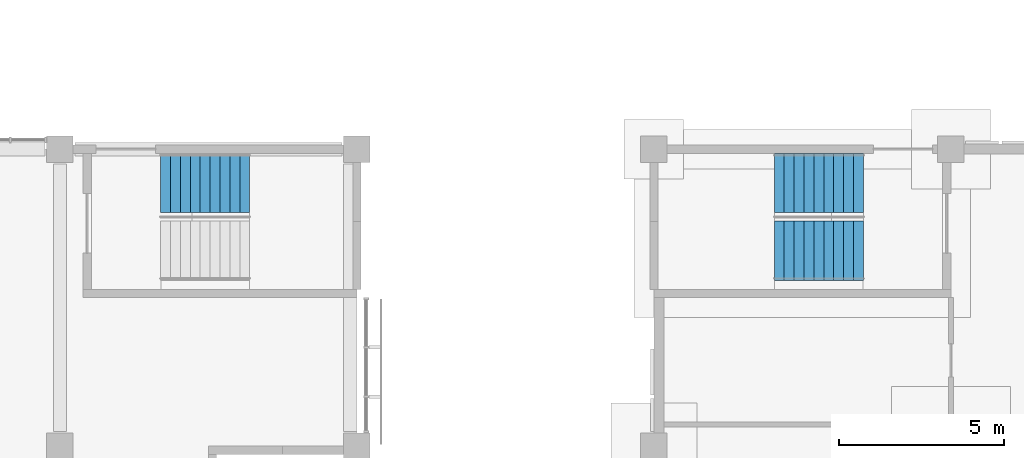
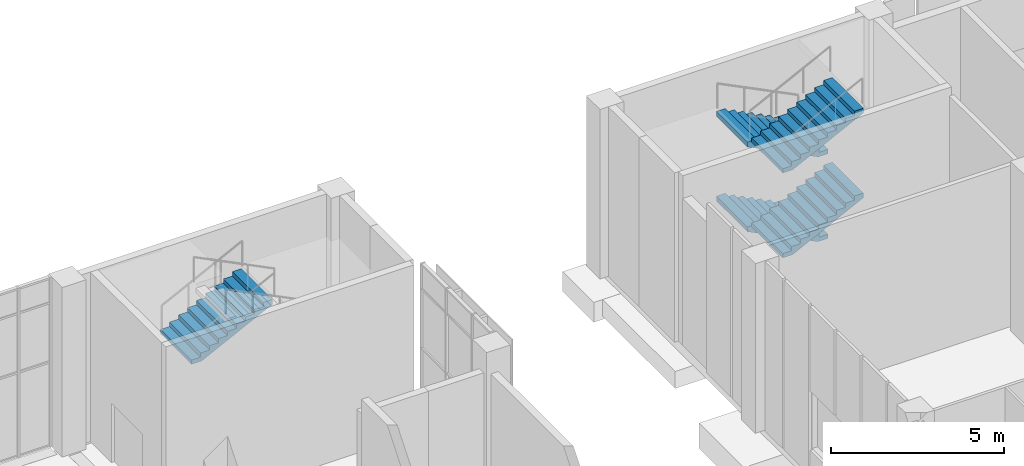
# One storey, part 74 of 86: 5 stair flights, 2 elements without a shape of their own.
"""IFC4 building model written with IfcOpenShell, lengths in metres."""

from ifc_helpers import new_model, si_unit, direction, frame, origin, place, context, subcontext, project, spatial, faceted_brep, material, type_object, element, aggregate, save


model = new_model("IFC4")

# Units and contexts
model_context = context("Model", 3, precision=1e-05, world=origin(), true_north=direction((0.0, 1.0)))
body_context = subcontext(model_context, "Body", "Model", "MODEL_VIEW")
ifc_project = project(units=[si_unit("LENGTHUNIT", "METRE"), si_unit("AREAUNIT", "SQUARE_METRE"), si_unit("VOLUMEUNIT", "CUBIC_METRE"), si_unit("PLANEANGLEUNIT", "RADIAN"), si_unit("MASSUNIT", "GRAM", prefix="KILO")], contexts=[model_context])

# Site, building, storey
site_placement = place(None, origin())
site = spatial("IfcSite", under=ifc_project, at=site_placement, CompositionType="ELEMENT")
building_placement = place(site_placement, origin())
building = spatial("IfcBuilding", under=site, at=building_placement, Name="Guidao Yard Department Store", CompositionType="ELEMENT")
storey_placement = place(building_placement, origin())
storey = spatial("IfcBuildingStorey", under=building, at=storey_placement, Name="L00", CompositionType="ELEMENT", Elevation=0.0)

# Stair, stair flights
ifc_material_1 = material(Name="Concrete C35", Category="concrete")
stair_type = type_object("IfcStairType", Name="Stair double-return four-flight 1800 wide 6.0 m rise", PredefinedType="DOUBLE_RETURN_STAIR", material=ifc_material_1)
stair_1_placement = place(storey_placement, origin())
stair_1 = element("IfcStair", 1, at=stair_1_placement, inside=storey, type_object=stair_type, Name="Stair F3 L00 to L01", PredefinedType="DOUBLE_RETURN_STAIR")
ifc_material_2 = material(Name="Concrete C35", Category="concrete")
stair_flight_type = type_object("IfcStairFlightType", Name="Stair flight RC straight 1800 wide 10 risers x 300 going C35", PredefinedType="STRAIGHT", material=ifc_material_2)
stair_flight_1_placement = place(storey_placement, frame((123.35009765625, 106.97509765625, 0.0), z_axis=(0.0, 0.0, 1.0), x_axis=(-1.0, 0.0, 0.0)))
stair_flight_1 = element("IfcStairFlight", 2, at=stair_flight_1_placement, type_object=stair_flight_type, Name="SF3-L00 flight 1", NumberOfRisers=10, NumberOfTreads=9, PredefinedType="STRAIGHT", RiserHeight=0.15, TreadLength=0.3, context=body_context, shape_type="Brep", body=[
    faceted_brep([(0.0, 0.89990234375, 0.0), (0.0, 0.89990234375, 0.14990234375), (0.300048828125, 0.89990234375, 0.14990234375), (0.300048828125, 0.89990234375, 0.300048828125), (0.60009765625, 0.89990234375, 0.300048828125), (0.60009765625, 0.89990234375, 0.449951171875), (0.89990234375, 0.89990234375, 0.449951171875), (0.89990234375, 0.89990234375, 0.60009765625), (1.199951171875, 0.89990234375, 0.60009765625), (1.199951171875, 0.89990234375, 0.75), (1.5, 0.89990234375, 0.75), (1.5, 0.89990234375, 0.89990234375), (1.800048828125, 0.89990234375, 0.89990234375), (1.800048828125, 0.89990234375, 1.050048828125), (2.10009765625, 0.89990234375, 1.050048828125), (2.10009765625, 0.89990234375, 1.199951171875), (2.39990234375, 0.89990234375, 1.199951171875), (2.39990234375, 0.89990234375, 1.35009765625), (2.699951171875, 0.89990234375, 1.35009765625), (2.699951171875, 0.89990234375, 1.182373046875), (0.335205078125, 0.89990234375, 0.0), (0.335205078125, -0.89990234375, 0.0), (2.699951171875, -0.89990234375, 1.182373046875), (2.699951171875, -0.89990234375, 1.35009765625), (2.39990234375, -0.89990234375, 1.35009765625), (2.39990234375, -0.89990234375, 1.199951171875), (2.10009765625, -0.89990234375, 1.199951171875), (2.10009765625, -0.89990234375, 1.050048828125), (1.800048828125, -0.89990234375, 1.050048828125), (1.800048828125, -0.89990234375, 0.89990234375), (1.5, -0.89990234375, 0.89990234375), (1.5, -0.89990234375, 0.75), (1.199951171875, -0.89990234375, 0.75), (1.199951171875, -0.89990234375, 0.60009765625), (0.89990234375, -0.89990234375, 0.60009765625), (0.89990234375, -0.89990234375, 0.449951171875), (0.60009765625, -0.89990234375, 0.449951171875), (0.60009765625, -0.89990234375, 0.300048828125), (0.300048828125, -0.89990234375, 0.300048828125), (0.300048828125, -0.89990234375, 0.14990234375), (0.0, -0.89990234375, 0.14990234375), (0.0, -0.89990234375, 0.0), (0.0, 0.300048828125, 0.0), (0.0, 0.300048828125, 0.14990234375), (0.0, -0.300048828125, 0.0), (0.0, -0.300048828125, 0.14990234375), (0.300048828125, 0.300048828125, 0.14990234375), (0.300048828125, -0.300048828125, 0.14990234375), (0.300048828125, 0.300048828125, 0.300048828125), (0.300048828125, -0.300048828125, 0.300048828125), (0.60009765625, 0.300048828125, 0.300048828125), (0.60009765625, -0.300048828125, 0.300048828125), (0.60009765625, 0.300048828125, 0.449951171875), (0.60009765625, -0.300048828125, 0.449951171875), (0.89990234375, 0.300048828125, 0.449951171875), (0.89990234375, -0.300048828125, 0.449951171875), (0.89990234375, 0.300048828125, 0.60009765625), (0.89990234375, -0.300048828125, 0.60009765625), (1.199951171875, 0.300048828125, 0.60009765625), (1.199951171875, -0.300048828125, 0.60009765625), (1.199951171875, 0.300048828125, 0.75), (1.199951171875, -0.300048828125, 0.75), (1.5, 0.300048828125, 0.75), (1.5, -0.300048828125, 0.75), (1.5, 0.300048828125, 0.89990234375), (1.5, -0.300048828125, 0.89990234375), (1.800048828125, 0.300048828125, 0.89990234375), (1.800048828125, -0.300048828125, 0.89990234375), (1.800048828125, 0.300048828125, 1.050048828125), (1.800048828125, -0.300048828125, 1.050048828125), (2.10009765625, 0.300048828125, 1.050048828125), (2.10009765625, -0.300048828125, 1.050048828125), (2.10009765625, 0.300048828125, 1.199951171875), (2.10009765625, -0.300048828125, 1.199951171875), (2.39990234375, 0.300048828125, 1.199951171875), (2.39990234375, -0.300048828125, 1.199951171875), (2.39990234375, 0.300048828125, 1.35009765625), (2.39990234375, -0.300048828125, 1.35009765625), (2.699951171875, 0.300048828125, 1.35009765625), (2.699951171875, -0.300048828125, 1.35009765625), (2.699951171875, 0.300048828125, 1.182373046875), (2.699951171875, -0.300048828125, 1.182373046875), (0.335205078125, 0.300048828125, 0.0), (0.335205078125, -0.300048828125, 0.0)], [[[0, 1, 2, 3, 4, 5, 6, 7, 8, 9, 10, 11, 12, 13, 14, 15, 16, 17, 18, 19, 20]], [[21, 22, 23, 24, 25, 26, 27, 28, 29, 30, 31, 32, 33, 34, 35, 36, 37, 38, 39, 40, 41]], [[42, 43, 1, 0]], [[44, 45, 43, 42]], [[41, 40, 45, 44]], [[43, 46, 2, 1]], [[45, 47, 46, 43]], [[40, 39, 47, 45]], [[46, 48, 3, 2]], [[47, 49, 48, 46]], [[39, 38, 49, 47]], [[48, 50, 4, 3]], [[49, 51, 50, 48]], [[38, 37, 51, 49]], [[50, 52, 5, 4]], [[51, 53, 52, 50]], [[37, 36, 53, 51]], [[52, 54, 6, 5]], [[53, 55, 54, 52]], [[36, 35, 55, 53]], [[54, 56, 7, 6]], [[55, 57, 56, 54]], [[35, 34, 57, 55]], [[56, 58, 8, 7]], [[57, 59, 58, 56]], [[34, 33, 59, 57]], [[58, 60, 9, 8]], [[59, 61, 60, 58]], [[33, 32, 61, 59]], [[60, 62, 10, 9]], [[61, 63, 62, 60]], [[32, 31, 63, 61]], [[62, 64, 11, 10]], [[63, 65, 64, 62]], [[31, 30, 65, 63]], [[64, 66, 12, 11]], [[65, 67, 66, 64]], [[30, 29, 67, 65]], [[66, 68, 13, 12]], [[67, 69, 68, 66]], [[29, 28, 69, 67]], [[68, 70, 14, 13]], [[69, 71, 70, 68]], [[28, 27, 71, 69]], [[70, 72, 15, 14]], [[71, 73, 72, 70]], [[27, 26, 73, 71]], [[72, 74, 16, 15]], [[73, 75, 74, 72]], [[26, 25, 75, 73]], [[74, 76, 17, 16]], [[75, 77, 76, 74]], [[25, 24, 77, 75]], [[76, 78, 18, 17]], [[77, 79, 78, 76]], [[24, 23, 79, 77]], [[78, 80, 19, 18]], [[79, 81, 80, 78]], [[23, 22, 81, 79]], [[80, 82, 20, 19]], [[81, 83, 82, 80]], [[22, 21, 83, 81]], [[82, 42, 0, 20]], [[83, 44, 42, 82]], [[21, 41, 44, 83]]]),
])
stair_flight_2_placement = place(storey_placement, frame((120.64990234375, 104.925048828125, 1.5), z_axis=(0.0, 0.0, 1.0), x_axis=(1.0, 0.0, 0.0)))
stair_flight_2 = element("IfcStairFlight", 3, at=stair_flight_2_placement, type_object=stair_flight_type, Name="SF3-L00 flight 2", NumberOfRisers=10, NumberOfTreads=9, PredefinedType="STRAIGHT", RiserHeight=0.15, TreadLength=0.3, context=body_context, shape_type="Brep", body=[
    faceted_brep([(0.0, 0.89990234375, 0.0), (0.0, 0.89990234375, 0.14990234375), (0.300048828125, 0.89990234375, 0.14990234375), (0.300048828125, 0.89990234375, 0.300048828125), (0.60009765625, 0.89990234375, 0.300048828125), (0.60009765625, 0.89990234375, 0.449951171875), (0.89990234375, 0.89990234375, 0.449951171875), (0.89990234375, 0.89990234375, 0.60009765625), (1.199951171875, 0.89990234375, 0.60009765625), (1.199951171875, 0.89990234375, 0.75), (1.5, 0.89990234375, 0.75), (1.5, 0.89990234375, 0.89990234375), (1.800048828125, 0.89990234375, 0.89990234375), (1.800048828125, 0.89990234375, 1.050048828125), (2.10009765625, 0.89990234375, 1.050048828125), (2.10009765625, 0.89990234375, 1.199951171875), (2.39990234375, 0.89990234375, 1.199951171875), (2.39990234375, 0.89990234375, 1.35009765625), (2.699951171875, 0.89990234375, 1.35009765625), (2.699951171875, 0.89990234375, 1.182373046875), (0.335205078125, 0.89990234375, 0.0), (0.335205078125, -0.89990234375, 0.0), (2.699951171875, -0.89990234375, 1.182373046875), (2.699951171875, -0.89990234375, 1.35009765625), (2.39990234375, -0.89990234375, 1.35009765625), (2.39990234375, -0.89990234375, 1.199951171875), (2.10009765625, -0.89990234375, 1.199951171875), (2.10009765625, -0.89990234375, 1.050048828125), (1.800048828125, -0.89990234375, 1.050048828125), (1.800048828125, -0.89990234375, 0.89990234375), (1.5, -0.89990234375, 0.89990234375), (1.5, -0.89990234375, 0.75), (1.199951171875, -0.89990234375, 0.75), (1.199951171875, -0.89990234375, 0.60009765625), (0.89990234375, -0.89990234375, 0.60009765625), (0.89990234375, -0.89990234375, 0.449951171875), (0.60009765625, -0.89990234375, 0.449951171875), (0.60009765625, -0.89990234375, 0.300048828125), (0.300048828125, -0.89990234375, 0.300048828125), (0.300048828125, -0.89990234375, 0.14990234375), (0.0, -0.89990234375, 0.14990234375), (0.0, -0.89990234375, 0.0), (0.0, 0.300048828125, 0.0), (0.0, 0.300048828125, 0.14990234375), (0.0, -0.300048828125, 0.0), (0.0, -0.300048828125, 0.14990234375), (0.300048828125, 0.300048828125, 0.14990234375), (0.300048828125, -0.300048828125, 0.14990234375), (0.300048828125, 0.300048828125, 0.300048828125), (0.300048828125, -0.300048828125, 0.300048828125), (0.60009765625, 0.300048828125, 0.300048828125), (0.60009765625, -0.300048828125, 0.300048828125), (0.60009765625, 0.300048828125, 0.449951171875), (0.60009765625, -0.300048828125, 0.449951171875), (0.89990234375, 0.300048828125, 0.449951171875), (0.89990234375, -0.300048828125, 0.449951171875), (0.89990234375, 0.300048828125, 0.60009765625), (0.89990234375, -0.300048828125, 0.60009765625), (1.199951171875, 0.300048828125, 0.60009765625), (1.199951171875, -0.300048828125, 0.60009765625), (1.199951171875, 0.300048828125, 0.75), (1.199951171875, -0.300048828125, 0.75), (1.5, 0.300048828125, 0.75), (1.5, -0.300048828125, 0.75), (1.5, 0.300048828125, 0.89990234375), (1.5, -0.300048828125, 0.89990234375), (1.800048828125, 0.300048828125, 0.89990234375), (1.800048828125, -0.300048828125, 0.89990234375), (1.800048828125, 0.300048828125, 1.050048828125), (1.800048828125, -0.300048828125, 1.050048828125), (2.10009765625, 0.300048828125, 1.050048828125), (2.10009765625, -0.300048828125, 1.050048828125), (2.10009765625, 0.300048828125, 1.199951171875), (2.10009765625, -0.300048828125, 1.199951171875), (2.39990234375, 0.300048828125, 1.199951171875), (2.39990234375, -0.300048828125, 1.199951171875), (2.39990234375, 0.300048828125, 1.35009765625), (2.39990234375, -0.300048828125, 1.35009765625), (2.699951171875, 0.300048828125, 1.35009765625), (2.699951171875, -0.300048828125, 1.35009765625), (2.699951171875, 0.300048828125, 1.182373046875), (2.699951171875, -0.300048828125, 1.182373046875), (0.335205078125, 0.300048828125, 0.0), (0.335205078125, -0.300048828125, 0.0)], [[[0, 1, 2, 3, 4, 5, 6, 7, 8, 9, 10, 11, 12, 13, 14, 15, 16, 17, 18, 19, 20]], [[21, 22, 23, 24, 25, 26, 27, 28, 29, 30, 31, 32, 33, 34, 35, 36, 37, 38, 39, 40, 41]], [[42, 43, 1, 0]], [[44, 45, 43, 42]], [[41, 40, 45, 44]], [[43, 46, 2, 1]], [[45, 47, 46, 43]], [[40, 39, 47, 45]], [[46, 48, 3, 2]], [[47, 49, 48, 46]], [[39, 38, 49, 47]], [[48, 50, 4, 3]], [[49, 51, 50, 48]], [[38, 37, 51, 49]], [[50, 52, 5, 4]], [[51, 53, 52, 50]], [[37, 36, 53, 51]], [[52, 54, 6, 5]], [[53, 55, 54, 52]], [[36, 35, 55, 53]], [[54, 56, 7, 6]], [[55, 57, 56, 54]], [[35, 34, 57, 55]], [[56, 58, 8, 7]], [[57, 59, 58, 56]], [[34, 33, 59, 57]], [[58, 60, 9, 8]], [[59, 61, 60, 58]], [[33, 32, 61, 59]], [[60, 62, 10, 9]], [[61, 63, 62, 60]], [[32, 31, 63, 61]], [[62, 64, 11, 10]], [[63, 65, 64, 62]], [[31, 30, 65, 63]], [[64, 66, 12, 11]], [[65, 67, 66, 64]], [[30, 29, 67, 65]], [[66, 68, 13, 12]], [[67, 69, 68, 66]], [[29, 28, 69, 67]], [[68, 70, 14, 13]], [[69, 71, 70, 68]], [[28, 27, 71, 69]], [[70, 72, 15, 14]], [[71, 73, 72, 70]], [[27, 26, 73, 71]], [[72, 74, 16, 15]], [[73, 75, 74, 72]], [[26, 25, 75, 73]], [[74, 76, 17, 16]], [[75, 77, 76, 74]], [[25, 24, 77, 75]], [[76, 78, 18, 17]], [[77, 79, 78, 76]], [[24, 23, 79, 77]], [[78, 80, 19, 18]], [[79, 81, 80, 78]], [[23, 22, 81, 79]], [[80, 82, 20, 19]], [[81, 83, 82, 80]], [[22, 21, 83, 81]], [[82, 42, 0, 20]], [[83, 44, 42, 82]], [[21, 41, 44, 83]]]),
])
stair_flight_3_placement = place(storey_placement, frame((123.35009765625, 106.97509765625, 3.0), z_axis=(0.0, 0.0, 1.0), x_axis=(-1.0, 0.0, 0.0)))
stair_flight_3 = element("IfcStairFlight", 4, at=stair_flight_3_placement, type_object=stair_flight_type, Name="SF3-L00 flight 3", NumberOfRisers=10, NumberOfTreads=9, PredefinedType="STRAIGHT", RiserHeight=0.15, TreadLength=0.3, context=body_context, shape_type="Brep", body=[
    faceted_brep([(0.0, 0.89990234375, 0.0), (0.0, 0.89990234375, 0.14990234375), (0.300048828125, 0.89990234375, 0.14990234375), (0.300048828125, 0.89990234375, 0.300048828125), (0.60009765625, 0.89990234375, 0.300048828125), (0.60009765625, 0.89990234375, 0.449951171875), (0.89990234375, 0.89990234375, 0.449951171875), (0.89990234375, 0.89990234375, 0.60009765625), (1.199951171875, 0.89990234375, 0.60009765625), (1.199951171875, 0.89990234375, 0.75), (1.5, 0.89990234375, 0.75), (1.5, 0.89990234375, 0.89990234375), (1.800048828125, 0.89990234375, 0.89990234375), (1.800048828125, 0.89990234375, 1.050048828125), (2.10009765625, 0.89990234375, 1.050048828125), (2.10009765625, 0.89990234375, 1.199951171875), (2.39990234375, 0.89990234375, 1.199951171875), (2.39990234375, 0.89990234375, 1.35009765625), (2.699951171875, 0.89990234375, 1.35009765625), (2.699951171875, 0.89990234375, 1.182373046875), (0.335205078125, 0.89990234375, 0.0), (0.335205078125, -0.89990234375, 0.0), (2.699951171875, -0.89990234375, 1.182373046875), (2.699951171875, -0.89990234375, 1.35009765625), (2.39990234375, -0.89990234375, 1.35009765625), (2.39990234375, -0.89990234375, 1.199951171875), (2.10009765625, -0.89990234375, 1.199951171875), (2.10009765625, -0.89990234375, 1.050048828125), (1.800048828125, -0.89990234375, 1.050048828125), (1.800048828125, -0.89990234375, 0.89990234375), (1.5, -0.89990234375, 0.89990234375), (1.5, -0.89990234375, 0.75), (1.199951171875, -0.89990234375, 0.75), (1.199951171875, -0.89990234375, 0.60009765625), (0.89990234375, -0.89990234375, 0.60009765625), (0.89990234375, -0.89990234375, 0.449951171875), (0.60009765625, -0.89990234375, 0.449951171875), (0.60009765625, -0.89990234375, 0.300048828125), (0.300048828125, -0.89990234375, 0.300048828125), (0.300048828125, -0.89990234375, 0.14990234375), (0.0, -0.89990234375, 0.14990234375), (0.0, -0.89990234375, 0.0), (0.0, 0.300048828125, 0.0), (0.0, 0.300048828125, 0.14990234375), (0.0, -0.300048828125, 0.0), (0.0, -0.300048828125, 0.14990234375), (0.300048828125, 0.300048828125, 0.14990234375), (0.300048828125, -0.300048828125, 0.14990234375), (0.300048828125, 0.300048828125, 0.300048828125), (0.300048828125, -0.300048828125, 0.300048828125), (0.60009765625, 0.300048828125, 0.300048828125), (0.60009765625, -0.300048828125, 0.300048828125), (0.60009765625, 0.300048828125, 0.449951171875), (0.60009765625, -0.300048828125, 0.449951171875), (0.89990234375, 0.300048828125, 0.449951171875), (0.89990234375, -0.300048828125, 0.449951171875), (0.89990234375, 0.300048828125, 0.60009765625), (0.89990234375, -0.300048828125, 0.60009765625), (1.199951171875, 0.300048828125, 0.60009765625), (1.199951171875, -0.300048828125, 0.60009765625), (1.199951171875, 0.300048828125, 0.75), (1.199951171875, -0.300048828125, 0.75), (1.5, 0.300048828125, 0.75), (1.5, -0.300048828125, 0.75), (1.5, 0.300048828125, 0.89990234375), (1.5, -0.300048828125, 0.89990234375), (1.800048828125, 0.300048828125, 0.89990234375), (1.800048828125, -0.300048828125, 0.89990234375), (1.800048828125, 0.300048828125, 1.050048828125), (1.800048828125, -0.300048828125, 1.050048828125), (2.10009765625, 0.300048828125, 1.050048828125), (2.10009765625, -0.300048828125, 1.050048828125), (2.10009765625, 0.300048828125, 1.199951171875), (2.10009765625, -0.300048828125, 1.199951171875), (2.39990234375, 0.300048828125, 1.199951171875), (2.39990234375, -0.300048828125, 1.199951171875), (2.39990234375, 0.300048828125, 1.35009765625), (2.39990234375, -0.300048828125, 1.35009765625), (2.699951171875, 0.300048828125, 1.35009765625), (2.699951171875, -0.300048828125, 1.35009765625), (2.699951171875, 0.300048828125, 1.182373046875), (2.699951171875, -0.300048828125, 1.182373046875), (0.335205078125, 0.300048828125, 0.0), (0.335205078125, -0.300048828125, 0.0)], [[[0, 1, 2, 3, 4, 5, 6, 7, 8, 9, 10, 11, 12, 13, 14, 15, 16, 17, 18, 19, 20]], [[21, 22, 23, 24, 25, 26, 27, 28, 29, 30, 31, 32, 33, 34, 35, 36, 37, 38, 39, 40, 41]], [[42, 43, 1, 0]], [[44, 45, 43, 42]], [[41, 40, 45, 44]], [[43, 46, 2, 1]], [[45, 47, 46, 43]], [[40, 39, 47, 45]], [[46, 48, 3, 2]], [[47, 49, 48, 46]], [[39, 38, 49, 47]], [[48, 50, 4, 3]], [[49, 51, 50, 48]], [[38, 37, 51, 49]], [[50, 52, 5, 4]], [[51, 53, 52, 50]], [[37, 36, 53, 51]], [[52, 54, 6, 5]], [[53, 55, 54, 52]], [[36, 35, 55, 53]], [[54, 56, 7, 6]], [[55, 57, 56, 54]], [[35, 34, 57, 55]], [[56, 58, 8, 7]], [[57, 59, 58, 56]], [[34, 33, 59, 57]], [[58, 60, 9, 8]], [[59, 61, 60, 58]], [[33, 32, 61, 59]], [[60, 62, 10, 9]], [[61, 63, 62, 60]], [[32, 31, 63, 61]], [[62, 64, 11, 10]], [[63, 65, 64, 62]], [[31, 30, 65, 63]], [[64, 66, 12, 11]], [[65, 67, 66, 64]], [[30, 29, 67, 65]], [[66, 68, 13, 12]], [[67, 69, 68, 66]], [[29, 28, 69, 67]], [[68, 70, 14, 13]], [[69, 71, 70, 68]], [[28, 27, 71, 69]], [[70, 72, 15, 14]], [[71, 73, 72, 70]], [[27, 26, 73, 71]], [[72, 74, 16, 15]], [[73, 75, 74, 72]], [[26, 25, 75, 73]], [[74, 76, 17, 16]], [[75, 77, 76, 74]], [[25, 24, 77, 75]], [[76, 78, 18, 17]], [[77, 79, 78, 76]], [[24, 23, 79, 77]], [[78, 80, 19, 18]], [[79, 81, 80, 78]], [[23, 22, 81, 79]], [[80, 82, 20, 19]], [[81, 83, 82, 80]], [[22, 21, 83, 81]], [[82, 42, 0, 20]], [[83, 44, 42, 82]], [[21, 41, 44, 83]]]),
])
stair_flight_4_placement = place(storey_placement, frame((120.64990234375, 104.925048828125, 4.5), z_axis=(0.0, 0.0, 1.0), x_axis=(1.0, 0.0, 0.0)))
stair_flight_4 = element("IfcStairFlight", 5, at=stair_flight_4_placement, type_object=stair_flight_type, Name="SF3-L00 flight 4", NumberOfRisers=10, NumberOfTreads=9, PredefinedType="STRAIGHT", RiserHeight=0.15, TreadLength=0.3, context=body_context, shape_type="Brep", body=[
    faceted_brep([(0.0, 0.89990234375, 0.0), (0.0, 0.89990234375, 0.14990234375), (0.300048828125, 0.89990234375, 0.14990234375), (0.300048828125, 0.89990234375, 0.300048828125), (0.60009765625, 0.89990234375, 0.300048828125), (0.60009765625, 0.89990234375, 0.449951171875), (0.89990234375, 0.89990234375, 0.449951171875), (0.89990234375, 0.89990234375, 0.60009765625), (1.199951171875, 0.89990234375, 0.60009765625), (1.199951171875, 0.89990234375, 0.75), (1.5, 0.89990234375, 0.75), (1.5, 0.89990234375, 0.89990234375), (1.800048828125, 0.89990234375, 0.89990234375), (1.800048828125, 0.89990234375, 1.050048828125), (2.10009765625, 0.89990234375, 1.050048828125), (2.10009765625, 0.89990234375, 1.199951171875), (2.39990234375, 0.89990234375, 1.199951171875), (2.39990234375, 0.89990234375, 1.35009765625), (2.699951171875, 0.89990234375, 1.35009765625), (2.699951171875, 0.89990234375, 1.182373046875), (0.335205078125, 0.89990234375, 0.0), (0.335205078125, -0.89990234375, 0.0), (2.699951171875, -0.89990234375, 1.182373046875), (2.699951171875, -0.89990234375, 1.35009765625), (2.39990234375, -0.89990234375, 1.35009765625), (2.39990234375, -0.89990234375, 1.199951171875), (2.10009765625, -0.89990234375, 1.199951171875), (2.10009765625, -0.89990234375, 1.050048828125), (1.800048828125, -0.89990234375, 1.050048828125), (1.800048828125, -0.89990234375, 0.89990234375), (1.5, -0.89990234375, 0.89990234375), (1.5, -0.89990234375, 0.75), (1.199951171875, -0.89990234375, 0.75), (1.199951171875, -0.89990234375, 0.60009765625), (0.89990234375, -0.89990234375, 0.60009765625), (0.89990234375, -0.89990234375, 0.449951171875), (0.60009765625, -0.89990234375, 0.449951171875), (0.60009765625, -0.89990234375, 0.300048828125), (0.300048828125, -0.89990234375, 0.300048828125), (0.300048828125, -0.89990234375, 0.14990234375), (0.0, -0.89990234375, 0.14990234375), (0.0, -0.89990234375, 0.0), (0.0, 0.300048828125, 0.0), (0.0, 0.300048828125, 0.14990234375), (0.0, -0.300048828125, 0.0), (0.0, -0.300048828125, 0.14990234375), (0.300048828125, 0.300048828125, 0.14990234375), (0.300048828125, -0.300048828125, 0.14990234375), (0.300048828125, 0.300048828125, 0.300048828125), (0.300048828125, -0.300048828125, 0.300048828125), (0.60009765625, 0.300048828125, 0.300048828125), (0.60009765625, -0.300048828125, 0.300048828125), (0.60009765625, 0.300048828125, 0.449951171875), (0.60009765625, -0.300048828125, 0.449951171875), (0.89990234375, 0.300048828125, 0.449951171875), (0.89990234375, -0.300048828125, 0.449951171875), (0.89990234375, 0.300048828125, 0.60009765625), (0.89990234375, -0.300048828125, 0.60009765625), (1.199951171875, 0.300048828125, 0.60009765625), (1.199951171875, -0.300048828125, 0.60009765625), (1.199951171875, 0.300048828125, 0.75), (1.199951171875, -0.300048828125, 0.75), (1.5, 0.300048828125, 0.75), (1.5, -0.300048828125, 0.75), (1.5, 0.300048828125, 0.89990234375), (1.5, -0.300048828125, 0.89990234375), (1.800048828125, 0.300048828125, 0.89990234375), (1.800048828125, -0.300048828125, 0.89990234375), (1.800048828125, 0.300048828125, 1.050048828125), (1.800048828125, -0.300048828125, 1.050048828125), (2.10009765625, 0.300048828125, 1.050048828125), (2.10009765625, -0.300048828125, 1.050048828125), (2.10009765625, 0.300048828125, 1.199951171875), (2.10009765625, -0.300048828125, 1.199951171875), (2.39990234375, 0.300048828125, 1.199951171875), (2.39990234375, -0.300048828125, 1.199951171875), (2.39990234375, 0.300048828125, 1.35009765625), (2.39990234375, -0.300048828125, 1.35009765625), (2.699951171875, 0.300048828125, 1.35009765625), (2.699951171875, -0.300048828125, 1.35009765625), (2.699951171875, 0.300048828125, 1.182373046875), (2.699951171875, -0.300048828125, 1.182373046875), (0.335205078125, 0.300048828125, 0.0), (0.335205078125, -0.300048828125, 0.0)], [[[0, 1, 2, 3, 4, 5, 6, 7, 8, 9, 10, 11, 12, 13, 14, 15, 16, 17, 18, 19, 20]], [[21, 22, 23, 24, 25, 26, 27, 28, 29, 30, 31, 32, 33, 34, 35, 36, 37, 38, 39, 40, 41]], [[42, 43, 1, 0]], [[44, 45, 43, 42]], [[41, 40, 45, 44]], [[43, 46, 2, 1]], [[45, 47, 46, 43]], [[40, 39, 47, 45]], [[46, 48, 3, 2]], [[47, 49, 48, 46]], [[39, 38, 49, 47]], [[48, 50, 4, 3]], [[49, 51, 50, 48]], [[38, 37, 51, 49]], [[50, 52, 5, 4]], [[51, 53, 52, 50]], [[37, 36, 53, 51]], [[52, 54, 6, 5]], [[53, 55, 54, 52]], [[36, 35, 55, 53]], [[54, 56, 7, 6]], [[55, 57, 56, 54]], [[35, 34, 57, 55]], [[56, 58, 8, 7]], [[57, 59, 58, 56]], [[34, 33, 59, 57]], [[58, 60, 9, 8]], [[59, 61, 60, 58]], [[33, 32, 61, 59]], [[60, 62, 10, 9]], [[61, 63, 62, 60]], [[32, 31, 63, 61]], [[62, 64, 11, 10]], [[63, 65, 64, 62]], [[31, 30, 65, 63]], [[64, 66, 12, 11]], [[65, 67, 66, 64]], [[30, 29, 67, 65]], [[66, 68, 13, 12]], [[67, 69, 68, 66]], [[29, 28, 69, 67]], [[68, 70, 14, 13]], [[69, 71, 70, 68]], [[28, 27, 71, 69]], [[70, 72, 15, 14]], [[71, 73, 72, 70]], [[27, 26, 73, 71]], [[72, 74, 16, 15]], [[73, 75, 74, 72]], [[26, 25, 75, 73]], [[74, 76, 17, 16]], [[75, 77, 76, 74]], [[25, 24, 77, 75]], [[76, 78, 18, 17]], [[77, 79, 78, 76]], [[24, 23, 79, 77]], [[78, 80, 19, 18]], [[79, 81, 80, 78]], [[23, 22, 81, 79]], [[80, 82, 20, 19]], [[81, 83, 82, 80]], [[22, 21, 83, 81]], [[82, 42, 0, 20]], [[83, 44, 42, 82]], [[21, 41, 44, 83]]]),
])
aggregate(stair_1, [stair_flight_1, stair_flight_2, stair_flight_3, stair_flight_4])

# Stair, stair flight
stair_2_placement = place(storey_placement, origin())
stair_2 = element("IfcStair", 6, at=stair_2_placement, inside=storey, type_object=stair_type, Name="Stair G4 L00 to L01", PredefinedType="DOUBLE_RETURN_STAIR")
stair_flight_5_placement = place(storey_placement, frame((102.050048828125, 106.97509765625, 3.0), z_axis=(0.0, 0.0, 1.0), x_axis=(1.0, 0.0, 0.0)))
stair_flight_5 = element("IfcStairFlight", 7, at=stair_flight_5_placement, type_object=stair_flight_type, Name="SG4-L00 flight 3", NumberOfRisers=10, NumberOfTreads=9, PredefinedType="STRAIGHT", RiserHeight=0.15, TreadLength=0.3, context=body_context, shape_type="Brep", body=[
    faceted_brep([(0.0, 0.89990234375, 0.0), (0.0, 0.89990234375, 0.14990234375), (0.300048828125, 0.89990234375, 0.14990234375), (0.300048828125, 0.89990234375, 0.300048828125), (0.60009765625, 0.89990234375, 0.300048828125), (0.60009765625, 0.89990234375, 0.449951171875), (0.89990234375, 0.89990234375, 0.449951171875), (0.89990234375, 0.89990234375, 0.60009765625), (1.199951171875, 0.89990234375, 0.60009765625), (1.199951171875, 0.89990234375, 0.75), (1.5, 0.89990234375, 0.75), (1.5, 0.89990234375, 0.89990234375), (1.800048828125, 0.89990234375, 0.89990234375), (1.800048828125, 0.89990234375, 1.050048828125), (2.10009765625, 0.89990234375, 1.050048828125), (2.10009765625, 0.89990234375, 1.199951171875), (2.39990234375, 0.89990234375, 1.199951171875), (2.39990234375, 0.89990234375, 1.35009765625), (2.699951171875, 0.89990234375, 1.35009765625), (2.699951171875, 0.89990234375, 1.182373046875), (0.335205078125, 0.89990234375, 0.0), (0.335205078125, -0.89990234375, 0.0), (2.699951171875, -0.89990234375, 1.182373046875), (2.699951171875, -0.89990234375, 1.35009765625), (2.39990234375, -0.89990234375, 1.35009765625), (2.39990234375, -0.89990234375, 1.199951171875), (2.10009765625, -0.89990234375, 1.199951171875), (2.10009765625, -0.89990234375, 1.050048828125), (1.800048828125, -0.89990234375, 1.050048828125), (1.800048828125, -0.89990234375, 0.89990234375), (1.5, -0.89990234375, 0.89990234375), (1.5, -0.89990234375, 0.75), (1.199951171875, -0.89990234375, 0.75), (1.199951171875, -0.89990234375, 0.60009765625), (0.89990234375, -0.89990234375, 0.60009765625), (0.89990234375, -0.89990234375, 0.449951171875), (0.60009765625, -0.89990234375, 0.449951171875), (0.60009765625, -0.89990234375, 0.300048828125), (0.300048828125, -0.89990234375, 0.300048828125), (0.300048828125, -0.89990234375, 0.14990234375), (0.0, -0.89990234375, 0.14990234375), (0.0, -0.89990234375, 0.0), (0.0, 0.300048828125, 0.0), (0.0, 0.300048828125, 0.14990234375), (0.0, -0.300048828125, 0.0), (0.0, -0.300048828125, 0.14990234375), (0.300048828125, 0.300048828125, 0.14990234375), (0.300048828125, -0.300048828125, 0.14990234375), (0.300048828125, 0.300048828125, 0.300048828125), (0.300048828125, -0.300048828125, 0.300048828125), (0.60009765625, 0.300048828125, 0.300048828125), (0.60009765625, -0.300048828125, 0.300048828125), (0.60009765625, 0.300048828125, 0.449951171875), (0.60009765625, -0.300048828125, 0.449951171875), (0.89990234375, 0.300048828125, 0.449951171875), (0.89990234375, -0.300048828125, 0.449951171875), (0.89990234375, 0.300048828125, 0.60009765625), (0.89990234375, -0.300048828125, 0.60009765625), (1.199951171875, 0.300048828125, 0.60009765625), (1.199951171875, -0.300048828125, 0.60009765625), (1.199951171875, 0.300048828125, 0.75), (1.199951171875, -0.300048828125, 0.75), (1.5, 0.300048828125, 0.75), (1.5, -0.300048828125, 0.75), (1.5, 0.300048828125, 0.89990234375), (1.5, -0.300048828125, 0.89990234375), (1.800048828125, 0.300048828125, 0.89990234375), (1.800048828125, -0.300048828125, 0.89990234375), (1.800048828125, 0.300048828125, 1.050048828125), (1.800048828125, -0.300048828125, 1.050048828125), (2.10009765625, 0.300048828125, 1.050048828125), (2.10009765625, -0.300048828125, 1.050048828125), (2.10009765625, 0.300048828125, 1.199951171875), (2.10009765625, -0.300048828125, 1.199951171875), (2.39990234375, 0.300048828125, 1.199951171875), (2.39990234375, -0.300048828125, 1.199951171875), (2.39990234375, 0.300048828125, 1.35009765625), (2.39990234375, -0.300048828125, 1.35009765625), (2.699951171875, 0.300048828125, 1.35009765625), (2.699951171875, -0.300048828125, 1.35009765625), (2.699951171875, 0.300048828125, 1.182373046875), (2.699951171875, -0.300048828125, 1.182373046875), (0.335205078125, 0.300048828125, 0.0), (0.335205078125, -0.300048828125, 0.0)], [[[0, 1, 2, 3, 4, 5, 6, 7, 8, 9, 10, 11, 12, 13, 14, 15, 16, 17, 18, 19, 20]], [[21, 22, 23, 24, 25, 26, 27, 28, 29, 30, 31, 32, 33, 34, 35, 36, 37, 38, 39, 40, 41]], [[42, 43, 1, 0]], [[44, 45, 43, 42]], [[41, 40, 45, 44]], [[43, 46, 2, 1]], [[45, 47, 46, 43]], [[40, 39, 47, 45]], [[46, 48, 3, 2]], [[47, 49, 48, 46]], [[39, 38, 49, 47]], [[48, 50, 4, 3]], [[49, 51, 50, 48]], [[38, 37, 51, 49]], [[50, 52, 5, 4]], [[51, 53, 52, 50]], [[37, 36, 53, 51]], [[52, 54, 6, 5]], [[53, 55, 54, 52]], [[36, 35, 55, 53]], [[54, 56, 7, 6]], [[55, 57, 56, 54]], [[35, 34, 57, 55]], [[56, 58, 8, 7]], [[57, 59, 58, 56]], [[34, 33, 59, 57]], [[58, 60, 9, 8]], [[59, 61, 60, 58]], [[33, 32, 61, 59]], [[60, 62, 10, 9]], [[61, 63, 62, 60]], [[32, 31, 63, 61]], [[62, 64, 11, 10]], [[63, 65, 64, 62]], [[31, 30, 65, 63]], [[64, 66, 12, 11]], [[65, 67, 66, 64]], [[30, 29, 67, 65]], [[66, 68, 13, 12]], [[67, 69, 68, 66]], [[29, 28, 69, 67]], [[68, 70, 14, 13]], [[69, 71, 70, 68]], [[28, 27, 71, 69]], [[70, 72, 15, 14]], [[71, 73, 72, 70]], [[27, 26, 73, 71]], [[72, 74, 16, 15]], [[73, 75, 74, 72]], [[26, 25, 75, 73]], [[74, 76, 17, 16]], [[75, 77, 76, 74]], [[25, 24, 77, 75]], [[76, 78, 18, 17]], [[77, 79, 78, 76]], [[24, 23, 79, 77]], [[78, 80, 19, 18]], [[79, 81, 80, 78]], [[23, 22, 81, 79]], [[80, 82, 20, 19]], [[81, 83, 82, 80]], [[22, 21, 83, 81]], [[82, 42, 0, 20]], [[83, 44, 42, 82]], [[21, 41, 44, 83]]]),
])
aggregate(stair_2, [stair_flight_5])

save(model, "model.ifc")
